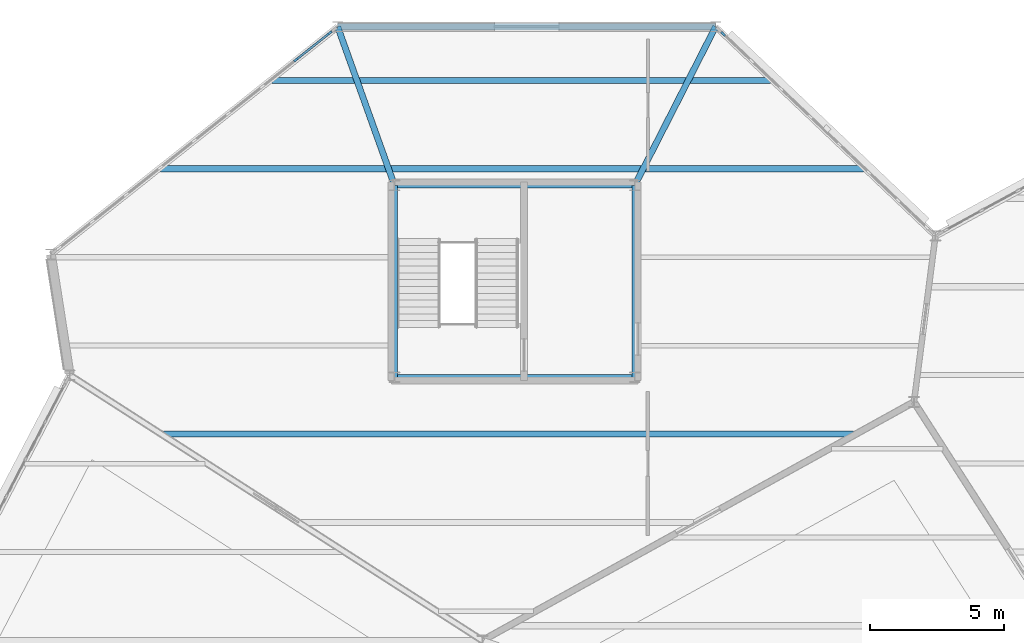
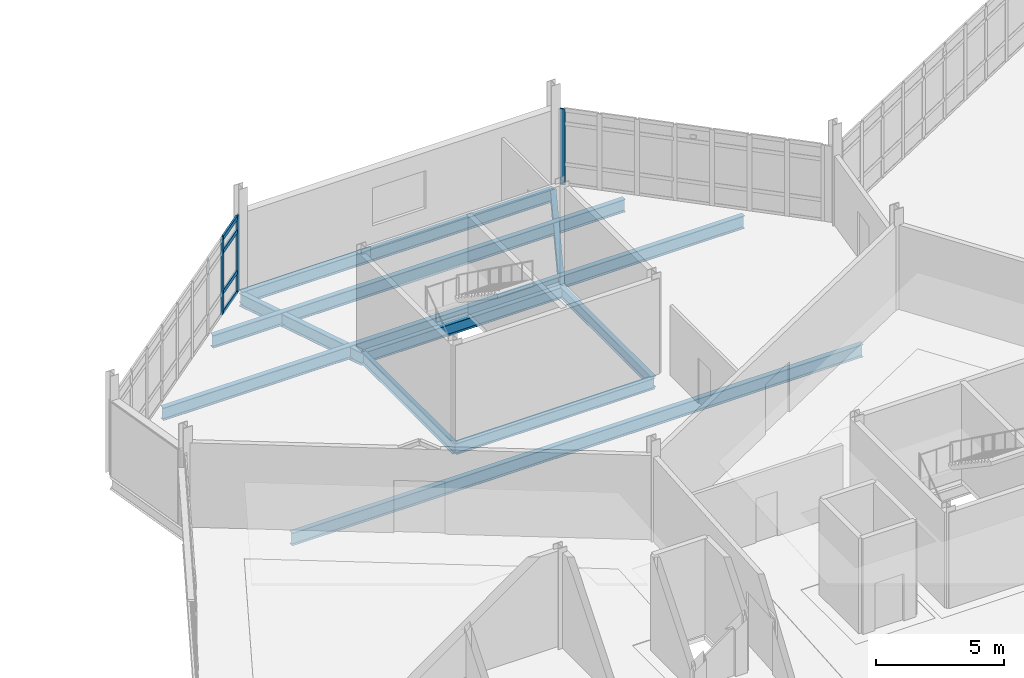
# One storey, part 64 of 134: 10 beams, 7 members, 2 elements without a shape of their own.
"""IFC4 building model written with IfcOpenShell, lengths in metres."""

from ifc_helpers import new_model, si_unit, direction, frame, origin, origin_2d, place, context, subcontext, project, spatial, rectangle, i_section, extrude, material, material_profile, profile_set, type_object, element, aggregate, save


model = new_model("IFC4")

# Units and contexts
model_context = context("Model", 3, precision=1e-05, world=origin(), true_north=direction((0.0, 1.0)))
body_context = subcontext(model_context, "Body", "Model", "MODEL_VIEW")
ifc_project = project(units=[si_unit("LENGTHUNIT", "METRE"), si_unit("AREAUNIT", "SQUARE_METRE"), si_unit("VOLUMEUNIT", "CUBIC_METRE"), si_unit("PLANEANGLEUNIT", "RADIAN"), si_unit("MASSUNIT", "GRAM", prefix="KILO")], contexts=[model_context])

# Site, building, storey
site_placement = place(None, origin())
site = spatial("IfcSite", under=ifc_project, at=site_placement, CompositionType="ELEMENT")
building_placement = place(site_placement, origin())
building = spatial("IfcBuilding", under=site, at=building_placement, Name="Tameran Prism Museum", CompositionType="ELEMENT")
storey_placement = place(building_placement, frame((0.0, 0.0, 5.39990234375)))
storey = spatial("IfcBuildingStorey", under=building, at=storey_placement, Name="L01", CompositionType="ELEMENT", Elevation=5.39990234375)

# Beams
ifc_material_1 = material(Name="Steel Grade 300PLUS (300 MPa)", Category="steel")
ifc_material_profile_1 = material_profile(ifc_material_1, i_section(OverallWidth=0.208984375, OverallDepth=0.528076171875, WebThickness=0.009521484375, FlangeThickness=0.01318359375, FilletRadius=0.013916015625, at=origin_2d()))
ifc_profile_set_1 = profile_set([ifc_material_profile_1])
beam_type_1 = type_object("IfcBeamType", Name="BM-SP530B", PredefinedType="SPANDREL", material=ifc_profile_set_1)
beam_1_placement = place(storey_placement, frame((115.52001953125, 98.919921875, -0.50390625), z_axis=(1.0, 0.0, 0.0), x_axis=(0.0, 1.0, 0.0)))
element("IfcBeam", 1, at=beam_1_placement, inside=storey, type_object=beam_type_1, Name="Core Ring Beam CTB-0446", PredefinedType="SPANDREL", context=body_context, shape_type="SweptSolid", body=[
    extrude(i_section(OverallWidth=0.208984375, OverallDepth=0.528076171875, WebThickness=0.009521484375, FlangeThickness=0.01318359375, FilletRadius=0.013916015625, at=origin_2d()), origin(), (0.0, 0.0, 1.0), 8.9599609375),
])
beam_2_placement = place(storey_placement, frame((124.47998046875, 98.919921875, -0.50390625), z_axis=(0.0, 1.0, 0.0), x_axis=(-1.0, 0.0, 0.0)))
element("IfcBeam", 2, at=beam_2_placement, inside=storey, type_object=beam_type_1, Name="Core Ring Beam CTB-0447", PredefinedType="SPANDREL", context=body_context, shape_type="SweptSolid", body=[
    extrude(i_section(OverallWidth=0.208984375, OverallDepth=0.528076171875, WebThickness=0.009521484375, FlangeThickness=0.01318359375, FilletRadius=0.013916015625, at=origin_2d()), origin(), (0.0, 0.0, 1.0), 7.16015625),
])
beam_3_placement = place(storey_placement, frame((124.47998046875, 106.080078125, -0.50390625), z_axis=(-1.0, 0.0, 0.0), x_axis=(0.0, -1.0, 0.0)))
element("IfcBeam", 3, at=beam_3_placement, inside=storey, type_object=beam_type_1, Name="Core Ring Beam CTB-0448", PredefinedType="SPANDREL", context=body_context, shape_type="SweptSolid", body=[
    extrude(i_section(OverallWidth=0.208984375, OverallDepth=0.528076171875, WebThickness=0.009521484375, FlangeThickness=0.01318359375, FilletRadius=0.013916015625, at=origin_2d()), origin(), (0.0, 0.0, 1.0), 8.9599609375),
])
beam_4_placement = place(storey_placement, frame((115.52001953125, 106.080078125, -0.50390625), z_axis=(0.0, -1.0, 0.0), x_axis=(1.0, 0.0, 0.0)))
element("IfcBeam", 4, at=beam_4_placement, inside=storey, type_object=beam_type_1, Name="Core Ring Beam CTB-0449", PredefinedType="SPANDREL", context=body_context, shape_type="SweptSolid", body=[
    extrude(i_section(OverallWidth=0.208984375, OverallDepth=0.528076171875, WebThickness=0.009521484375, FlangeThickness=0.01318359375, FilletRadius=0.013916015625, at=origin_2d()), origin(), (0.0, 0.0, 1.0), 7.16015625),
])
ifc_material_2 = material(Name="Steel Grade 300PLUS (300 MPa)", Category="steel")
ifc_material_profile_2 = material_profile(ifc_material_2, i_section(OverallWidth=0.22802734375, OverallDepth=0.60205078125, WebThickness=0.010498046875, FlangeThickness=0.014892578125, FilletRadius=0.013916015625, at=origin_2d()))
ifc_profile_set_2 = profile_set([ifc_material_profile_2])
beam_type_2 = type_object("IfcBeamType", Name="BM-SP610", PredefinedType="SPANDREL", material=ifc_profile_set_2)
beam_5_placement = place(storey_placement, frame((127.5, 112.0, -0.5009765625), z_axis=(-1.0, 0.0, 0.0), x_axis=(0.0, -1.0, 0.0)))
element("IfcBeam", 5, at=beam_5_placement, inside=storey, type_object=beam_type_2, Name="Perimeter Spandrel SP-0337", PredefinedType="SPANDREL", context=body_context, shape_type="SweptSolid", body=[
    extrude(i_section(OverallWidth=0.22802734375, OverallDepth=0.60205078125, WebThickness=0.010498046875, FlangeThickness=0.014892578125, FilletRadius=0.013916015625, at=origin_2d()), origin(), (0.0, 0.0, 1.0), 14.10009765625),
])
ifc_material_3 = material(Name="Steel Grade 300PLUS (300 MPa)", Category="steel")
ifc_material_profile_3 = material_profile(ifc_material_3, i_section(OverallWidth=0.22900390625, OverallDepth=0.612060546875, WebThickness=0.011962890625, FlangeThickness=0.01953125, FilletRadius=0.013916015625, at=origin_2d()))
ifc_profile_set_3 = profile_set([ifc_material_profile_3])
beam_type_3 = type_object("IfcBeamType", Name="BM-UB610A", PredefinedType="BEAM", material=ifc_profile_set_3)
beam_6_placement = place(storey_placement, frame((124.47998046875, 106.080078125, -0.559814453125), z_axis=(0.454428700182, 0.890783114148, 0.0), x_axis=(-0.890783114148, 0.454428700182, 0.0)))
element("IfcBeam", 6, at=beam_6_placement, inside=storey, type_object=beam_type_3, Name="Frame Tie Girder FG-1399", PredefinedType="BEAM", context=body_context, shape_type="SweptSolid", body=[
    extrude(i_section(OverallWidth=0.22900390625, OverallDepth=0.612060546875, WebThickness=0.011962890625, FlangeThickness=0.01953125, FilletRadius=0.013916015625, at=origin_2d()), origin(), (0.0, 0.0, 1.0), 6.645751953125),
])
beam_7_placement = place(storey_placement, frame((115.52001953125, 106.080078125, -0.559814453125), z_axis=(-0.337162675886, 0.941446403142, 0.0), x_axis=(-0.941446403142, -0.337162675886, 0.0)))
element("IfcBeam", 7, at=beam_7_placement, inside=storey, type_object=beam_type_3, Name="Frame Tie Girder FG-1405", PredefinedType="BEAM", context=body_context, shape_type="SweptSolid", body=[
    extrude(i_section(OverallWidth=0.22900390625, OverallDepth=0.612060546875, WebThickness=0.011962890625, FlangeThickness=0.01953125, FilletRadius=0.013916015625, at=origin_2d()), origin(), (0.0, 0.0, 1.0), 6.2880859375),
])
ifc_material_4 = material(Name="Steel Grade 300PLUS (300 MPa)", Category="steel")
ifc_material_profile_4 = material_profile(ifc_material_4, i_section(OverallWidth=0.22802734375, OverallDepth=0.60693359375, WebThickness=0.01123046875, FlangeThickness=0.017333984375, FilletRadius=0.013916015625, at=origin_2d()))
ifc_profile_set_4 = profile_set([ifc_material_profile_4])
beam_type_4 = type_object("IfcBeamType", Name="BM-UB610B", PredefinedType="BEAM", material=ifc_profile_set_4)
beam_8_placement = place(storey_placement, frame((106.89599609375, 96.800048828125, -0.50341796875), z_axis=(1.0, 0.0, 0.0), x_axis=(0.0, 1.0, 0.0)))
element("IfcBeam", 8, at=beam_8_placement, inside=storey, type_object=beam_type_4, Name="Floor Beam BM-0523", PredefinedType="BEAM", context=body_context, shape_type="SweptSolid", body=[
    extrude(i_section(OverallWidth=0.22802734375, OverallDepth=0.60693359375, WebThickness=0.01123046875, FlangeThickness=0.017333984375, FilletRadius=0.013916015625, at=origin_2d()), origin(), (0.0, 0.0, 1.0), 25.7509765625),
])
beam_9_placement = place(storey_placement, frame((106.79296875, 106.699951171875, -0.50341796875), z_axis=(1.0, 0.0, 0.0), x_axis=(0.0, 1.0, 0.0)))
element("IfcBeam", 9, at=beam_9_placement, inside=storey, type_object=beam_type_4, Name="Floor Beam BM-0528", PredefinedType="BEAM", context=body_context, shape_type="SweptSolid", body=[
    extrude(i_section(OverallWidth=0.22802734375, OverallDepth=0.60693359375, WebThickness=0.01123046875, FlangeThickness=0.017333984375, FilletRadius=0.013916015625, at=origin_2d()), origin(), (0.0, 0.0, 1.0), 26.220947265625),
])
beam_10_placement = place(storey_placement, frame((110.947021484375, 110.0, -0.50341796875), z_axis=(1.0, 0.0, 0.0), x_axis=(0.0, 1.0, 0.0)))
element("IfcBeam", 10, at=beam_10_placement, inside=storey, type_object=beam_type_4, Name="Floor Beam BM-0529", PredefinedType="BEAM", context=body_context, shape_type="SweptSolid", body=[
    extrude(i_section(OverallWidth=0.22802734375, OverallDepth=0.60693359375, WebThickness=0.01123046875, FlangeThickness=0.017333984375, FilletRadius=0.013916015625, at=origin_2d()), origin(), (0.0, 0.0, 1.0), 18.597900390625),
])

# Curtain wall, member
ifc_material_5 = material(Name="Anodised Aluminium 6063-T6 and Cyclone Solar Glass", Category="aluminium")
curtain_wall_type_1 = type_object("IfcCurtainWallType", Name="CW-FAC-1056x362", PredefinedType="USERDEFINED", material=ifc_material_5)
curtain_wall_1_placement = place(storey_placement, origin())
curtain_wall_1 = element("IfcCurtainWall", 11, at=curtain_wall_1_placement, inside=storey, type_object=curtain_wall_type_1, Name="Unitised Curtain Wall CW-057", ObjectType="UNITISED CURTAIN WALL", PredefinedType="USERDEFINED")
ifc_material_6 = material(Name="Anodised Aluminium Alloy 6063-T6", Category="aluminium")
ifc_material_profile_5 = material_profile(ifc_material_6, rectangle(XDim=0.074951171875, YDim=0.199951171875, at=origin_2d()))
ifc_profile_set_5 = profile_set([ifc_material_profile_5])
member_type_1 = type_object("IfcMemberType", Name="CW-MUL-C", PredefinedType="MULLION", material=ifc_profile_set_5)
member_1_placement = place(storey_placement, frame((127.78125, 111.733154296875, 0.0), z_axis=(0.0, 0.0, 1.0), x_axis=(0.689269554042, 0.724504990922, 0.0)))
member_1 = element("IfcMember", 12, at=member_1_placement, type_object=member_type_1, Name="CW-057 mullion 1", PredefinedType="MULLION", context=body_context, shape_type="SweptSolid", body=[
    extrude(rectangle(XDim=0.074951171875, YDim=0.199951171875, at=origin_2d()), origin(), (0.0, 0.0, 1.0), 3.6201171875),
])
aggregate(curtain_wall_1, [member_1])

# Curtain wall, members
ifc_material_7 = material(Name="Anodised Aluminium 6063-T6 and Cyclone Solar Glass", Category="aluminium")
curtain_wall_type_2 = type_object("IfcCurtainWallType", Name="CW-FAC-1296x362", PredefinedType="USERDEFINED", material=ifc_material_7)
curtain_wall_2_placement = place(storey_placement, origin())
curtain_wall_2 = element("IfcCurtainWall", 13, at=curtain_wall_2_placement, inside=storey, type_object=curtain_wall_type_2, Name="Unitised Curtain Wall CW-058", ObjectType="UNITISED CURTAIN WALL", PredefinedType="USERDEFINED")
ifc_material_8 = material(Name="Anodised Aluminium Alloy 6063-T6", Category="aluminium")
ifc_material_profile_6 = material_profile(ifc_material_8, rectangle(XDim=0.080078125, YDim=0.219970703125, at=origin_2d()))
ifc_profile_set_6 = profile_set([ifc_material_profile_6])
member_type_2 = type_object("IfcMemberType", Name="CW-MUL-D", PredefinedType="MULLION", material=ifc_profile_set_6)
member_2_placement = place(storey_placement, frame((111.85693359375, 110.77392578125, 0.0), z_axis=(0.0, 0.0, 1.0), x_axis=(-0.621982306183, 0.783031296178, 0.0)))
member_2 = element("IfcMember", 14, at=member_2_placement, type_object=member_type_2, Name="CW-058 mullion 8", PredefinedType="MULLION", context=body_context, shape_type="SweptSolid", body=[
    extrude(rectangle(XDim=0.080078125, YDim=0.219970703125, at=origin_2d()), origin(), (0.0, 0.0, 1.0), 3.6201171875),
])
member_3_placement = place(storey_placement, frame((113.0947265625, 111.757080078125, 0.0), z_axis=(0.0, 0.0, 1.0), x_axis=(-0.621982306183, 0.783031296178, 0.0)))
member_3 = element("IfcMember", 15, at=member_3_placement, type_object=member_type_2, Name="CW-058 mullion 9", PredefinedType="MULLION", context=body_context, shape_type="SweptSolid", body=[
    extrude(rectangle(XDim=0.080078125, YDim=0.219970703125, at=origin_2d()), origin(), (0.0, 0.0, 1.0), 3.6201171875),
])
ifc_material_9 = material(Name="Anodised Aluminium Alloy 6063-T6", Category="aluminium")
ifc_material_profile_7 = material_profile(ifc_material_9, rectangle(XDim=0.080078125, YDim=0.195068359375, at=origin_2d()))
ifc_profile_set_7 = profile_set([ifc_material_profile_7])
member_type_3 = type_object("IfcMemberType", Name="CW-TRN-D", PredefinedType="USERDEFINED", material=ifc_profile_set_7)
member_4_placement = place(storey_placement, frame((111.888427734375, 110.798828125, 0.0400390625), z_axis=(0.783038601603, 0.621973109065, 0.0), x_axis=(-0.621973109065, 0.783038601603, 0.0)))
member_4 = element("IfcMember", 16, at=member_4_placement, type_object=member_type_3, Name="CW-058 transom 8.1", ObjectType="TRANSOM", PredefinedType="USERDEFINED", context=body_context, shape_type="SweptSolid", body=[
    extrude(rectangle(XDim=0.080078125, YDim=0.195068359375, at=origin_2d()), origin(), (0.0, 0.0, 1.0), 1.500732421875),
])
member_5_placement = place(storey_placement, frame((111.888427734375, 110.798828125, 1.0), z_axis=(0.783038601603, 0.621973109065, 0.0), x_axis=(-0.621973109065, 0.783038601603, 0.0)))
member_5 = element("IfcMember", 17, at=member_5_placement, type_object=member_type_3, Name="CW-058 transom 8.2", ObjectType="TRANSOM", PredefinedType="USERDEFINED", context=body_context, shape_type="SweptSolid", body=[
    extrude(rectangle(XDim=0.080078125, YDim=0.195068359375, at=origin_2d()), origin(), (0.0, 0.0, 1.0), 1.500732421875),
])
member_6_placement = place(storey_placement, frame((111.888427734375, 110.798828125, 2.940185546875), z_axis=(0.783038601603, 0.621973109065, 0.0), x_axis=(-0.621973109065, 0.783038601603, 0.0)))
member_6 = element("IfcMember", 18, at=member_6_placement, type_object=member_type_3, Name="CW-058 transom 8.3", ObjectType="TRANSOM", PredefinedType="USERDEFINED", context=body_context, shape_type="SweptSolid", body=[
    extrude(rectangle(XDim=0.080078125, YDim=0.195068359375, at=origin_2d()), origin(), (0.0, 0.0, 1.0), 1.500732421875),
])
member_7_placement = place(storey_placement, frame((111.888427734375, 110.798828125, 3.580078125), z_axis=(0.783038601603, 0.621973109065, 0.0), x_axis=(-0.621973109065, 0.783038601603, 0.0)))
member_7 = element("IfcMember", 19, at=member_7_placement, type_object=member_type_3, Name="CW-058 transom 8.4", ObjectType="TRANSOM", PredefinedType="USERDEFINED", context=body_context, shape_type="SweptSolid", body=[
    extrude(rectangle(XDim=0.080078125, YDim=0.195068359375, at=origin_2d()), origin(), (0.0, 0.0, 1.0), 1.500732421875),
])
aggregate(curtain_wall_2, [member_2, member_3, member_4, member_5, member_6, member_7])

save(model, "model.ifc")
